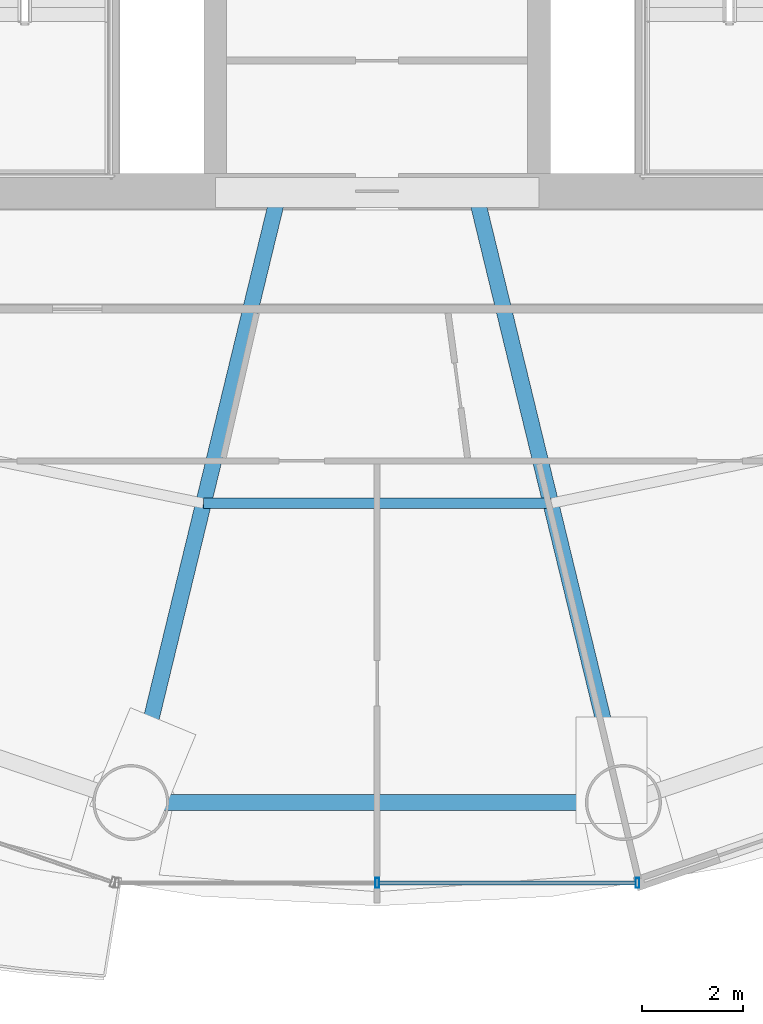
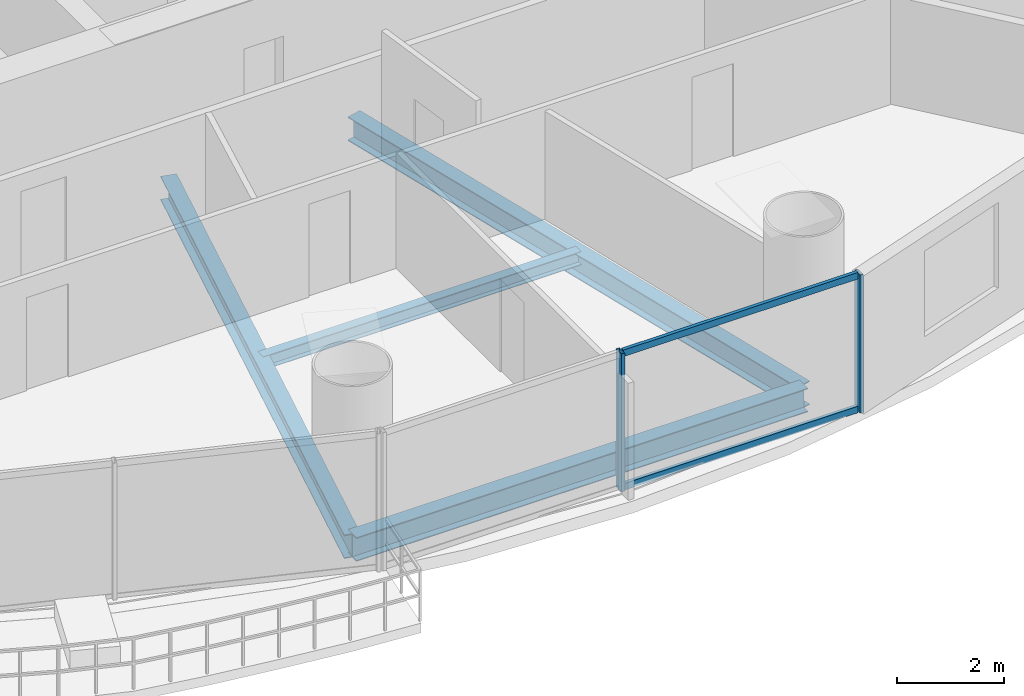
# One storey, part 5 of 29: 4 beams, 4 members, 1 element without a shape of its own.
"""IFC4 building model written with IfcOpenShell, lengths in metres."""

from ifc_helpers import new_model, si_unit, direction, frame, origin, origin_2d, place, context, subcontext, project, spatial, hollow_rectangle, i_section, extrude, source, transform, mapped, material, material_profile, profile_set, type_object, element, aggregate, save


model = new_model("IFC4")

# Units and contexts
model_context = context("Model", 3, precision=1e-05, world=origin(), true_north=direction((-0.2419218956, 0.970295726276)))
body_context = subcontext(model_context, "Body", "Model", "MODEL_VIEW")
ifc_project = project(units=[si_unit("LENGTHUNIT", "METRE"), si_unit("AREAUNIT", "SQUARE_METRE"), si_unit("VOLUMEUNIT", "CUBIC_METRE"), si_unit("PLANEANGLEUNIT", "RADIAN"), si_unit("MASSUNIT", "GRAM", prefix="KILO")], contexts=[model_context])

# Site, building, storey
site_placement = place(None, origin())
site = spatial("IfcSite", under=ifc_project, at=site_placement, CompositionType="ELEMENT")
building_placement = place(site_placement, origin())
building = spatial("IfcBuilding", under=site, at=building_placement, Name="Cobrevalo Terracotta Tower", CompositionType="ELEMENT")
storey_placement = place(building_placement, frame((0.0, 0.0, 126.60009765625)))
storey = spatial("IfcBuildingStorey", under=building, at=storey_placement, Name="L33", CompositionType="ELEMENT", Elevation=126.60009765625)

# Beams
ifc_material_1 = material(Name="Steel S355", Category="steel")
ifc_material_profile_1 = material_profile(ifc_material_1, i_section(OverallWidth=0.31201171875, OverallDepth=0.54296875, WebThickness=0.0126953125, FlangeThickness=0.020263671875, at=origin_2d()), Name="W 530x150")
ifc_profile_set_1 = profile_set([ifc_material_profile_1], Name="Steel S355")
beam_type_1 = type_object("IfcBeamType", Name="Structural Beam W 530x150 (Steel S355)", PredefinedType="BEAM", material=ifc_profile_set_1)
for number, where, z_axis, x_axis, name in (
    (1, (33.132568359375, 6.742919921875, -0.546630859375), (0.235827379387, 0.971794961467, 0.0), (-0.971794961467, 0.235827379387, 0.0), "L33 radial floor girder 12"),
    (2, (42.867431640625, 6.742919921875, -0.546630859375), (-0.235827379387, 0.971794961467, 0.0), (-0.971794961467, -0.235827379387, 0.0), "L33 radial floor girder 13"),
):
    element("IfcBeam", number, at=place(storey_placement, frame(where, z_axis=z_axis, x_axis=x_axis)), inside=storey, type_object=beam_type_1, Name=name, PredefinedType="BEAM", context=body_context, shape_type="SweptSolid", body=[
        extrude(i_section(OverallWidth=0.31201171875, OverallDepth=0.54296875, WebThickness=0.0126953125, FlangeThickness=0.020263671875, at=origin_2d()), origin(), (0.0, 0.0, 1.0), 12.17041015625),
    ])
ifc_material_profile_2 = material_profile(ifc_material_1, i_section(OverallWidth=0.2041015625, OverallDepth=0.305908203125, WebThickness=0.008544921875, FlangeThickness=0.0146484375, at=origin_2d()), Name="W 310x67")
ifc_profile_set_2 = profile_set([ifc_material_profile_2], Name="Steel S355")
beam_type_2 = type_object("IfcBeamType", Name="Structural Joist W 310x67 (Steel S355)", PredefinedType="JOIST", material=ifc_profile_set_2)
beam_1_placement = place(storey_placement, frame((34.567626953125, 12.656494140625, -0.427978515625), z_axis=(1.0, 0.0, 0.0), x_axis=(0.0, 1.0, 0.0)))
element("IfcBeam", 3, at=beam_1_placement, inside=storey, type_object=beam_type_2, Name="L33 circumferential secondary floor joist 12", PredefinedType="JOIST", context=body_context, shape_type="SweptSolid", body=[
    extrude(i_section(OverallWidth=0.2041015625, OverallDepth=0.305908203125, WebThickness=0.008544921875, FlangeThickness=0.0146484375, at=origin_2d()), origin(), (0.0, 0.0, 1.0), 6.86474609375),
])
ifc_material_profile_3 = material_profile(ifc_material_1, i_section(OverallWidth=0.31201171875, OverallDepth=0.54296875, WebThickness=0.0126953125, FlangeThickness=0.020263671875, at=origin_2d()), Name="W 530x150")
ifc_profile_set_3 = profile_set([ifc_material_profile_3], Name="Steel S355")
beam_type_3 = type_object("IfcBeamType", Name="Structural Spandrel W 530x150 (Steel S355)", PredefinedType="SPANDREL", material=ifc_profile_set_3)
beam_2_placement = place(storey_placement, frame((33.132568359375, 6.742919921875, -0.546630859375), z_axis=(1.0, 0.0, 0.0), x_axis=(0.0, 1.0, 0.0)))
element("IfcBeam", 4, at=beam_2_placement, inside=storey, type_object=beam_type_3, Name="L33 perimeter ring spandrel 12", PredefinedType="SPANDREL", context=body_context, shape_type="SweptSolid", body=[
    extrude(i_section(OverallWidth=0.31201171875, OverallDepth=0.54296875, WebThickness=0.0126953125, FlangeThickness=0.020263671875, at=origin_2d()), origin(), (0.0, 0.0, 1.0), 9.73486328125),
])

# Curtain wall, members
ifc_material_2 = material(Name="Anodized aluminium", Category="aluminium")
curtain_wall_type = type_object("IfcCurtainWallType", Name="Lower-tower unitised acoustic low-E curtain wall CW-U1", PredefinedType="NOTDEFINED", material=ifc_material_2)
curtain_wall_placement = place(storey_placement, origin())
curtain_wall = element("IfcCurtainWall", 5, at=curtain_wall_placement, inside=storey, type_object=curtain_wall_type, Name="L33 curtain wall CW-L33-S12", PredefinedType="NOTDEFINED")
ifc_material_profile_4 = material_profile(ifc_material_2, hollow_rectangle(XDim=0.074951171875, YDim=0.199951171875, WallThickness=0.0048828125, at=origin_2d()), Name="CWM 75x200")
ifc_profile_set_4 = profile_set([ifc_material_profile_4], Name="Anodized aluminium")
member_type_1 = type_object("IfcMemberType", Name="Lower/mid tower unitised mullion 75x200", PredefinedType="MULLION", material=ifc_profile_set_4)
shared_shape_1 = source(origin(), body_context, "Body", "SweptSolid", [
    extrude(hollow_rectangle(XDim=0.074951171875, YDim=0.199951171875, WallThickness=0.0048828125, at=origin_2d()), origin(), (0.0, 0.0, 1.0), 3.14990234375),
])
member_1_placement = place(storey_placement, frame((38.0, 5.154052734375, 0.0), z_axis=(0.0, 0.0, 1.0), x_axis=(1.0, 0.0, 0.0)))
member_1 = element("IfcMember", 6, at=member_1_placement, type_object=member_type_1, Name="CW-L33-S12 vertical mullion 02", PredefinedType="MULLION", context=body_context, shape_type="MappedRepresentation", body=[
    mapped(shared_shape_1, transform((0.0, 0.0, 0.0), scale=1.0)),
])
member_2_placement = place(storey_placement, frame((43.1435546875, 5.154052734375, 0.0), z_axis=(0.0, 0.0, 1.0), x_axis=(1.0, 0.0, 0.0)))
member_2 = element("IfcMember", 7, at=member_2_placement, type_object=member_type_1, Name="CW-L33-S12 vertical mullion 03", PredefinedType="MULLION", context=body_context, shape_type="MappedRepresentation", body=[
    mapped(shared_shape_1, transform((0.0, 0.0, 0.0), scale=1.0)),
])
ifc_material_profile_5 = material_profile(ifc_material_2, hollow_rectangle(XDim=0.074951171875, YDim=0.14990234375, WallThickness=0.00439453125, at=origin_2d()), Name="CWT 75x150")
ifc_profile_set_5 = profile_set([ifc_material_profile_5], Name="Anodized aluminium")
member_type_2 = type_object("IfcMemberType", Name="Tower unitised aluminium transom 75x150", PredefinedType="USERDEFINED", material=ifc_profile_set_5)
shared_shape_2 = source(origin(), body_context, "Body", "SweptSolid", [
    extrude(hollow_rectangle(XDim=0.074951171875, YDim=0.14990234375, WallThickness=0.00439453125, at=origin_2d()), origin(), (0.0, 0.0, 1.0), 5.0634765625),
])
member_3_placement = place(storey_placement, frame((38.0400390625, 5.154052734375, 0.0498046875), z_axis=(1.0, 0.0, 0.0), x_axis=(0.0, 1.0, 0.0)))
member_3 = element("IfcMember", 8, at=member_3_placement, type_object=member_type_2, Name="CW-L33-S12 transom B02-T1", ObjectType="TRANSOM", PredefinedType="USERDEFINED", context=body_context, shape_type="MappedRepresentation", body=[
    mapped(shared_shape_2, transform((0.0, 0.0, 0.0), scale=1.0)),
])
member_4_placement = place(storey_placement, frame((38.0400390625, 5.154052734375, 3.099853515625), z_axis=(1.0, 0.0, 0.0), x_axis=(0.0, 1.0, 0.0)))
member_4 = element("IfcMember", 9, at=member_4_placement, type_object=member_type_2, Name="CW-L33-S12 transom B02-T2", ObjectType="TRANSOM", PredefinedType="USERDEFINED", context=body_context, shape_type="MappedRepresentation", body=[
    mapped(shared_shape_2, transform((0.0, 0.0, 0.0), scale=1.0)),
])
aggregate(curtain_wall, [member_1, member_2, member_3, member_4])

save(model, "model.ifc")
